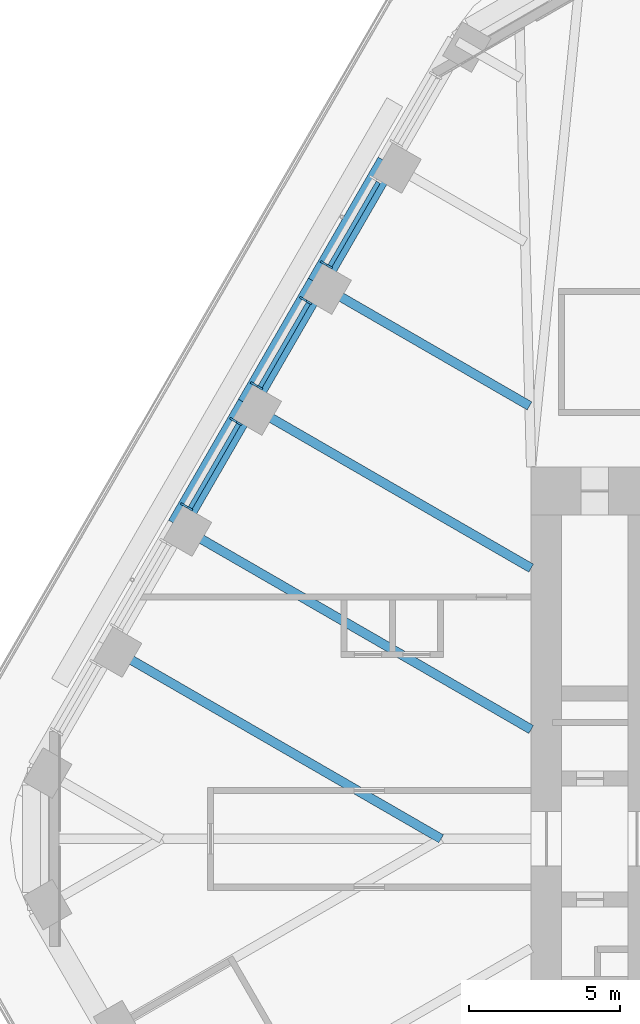
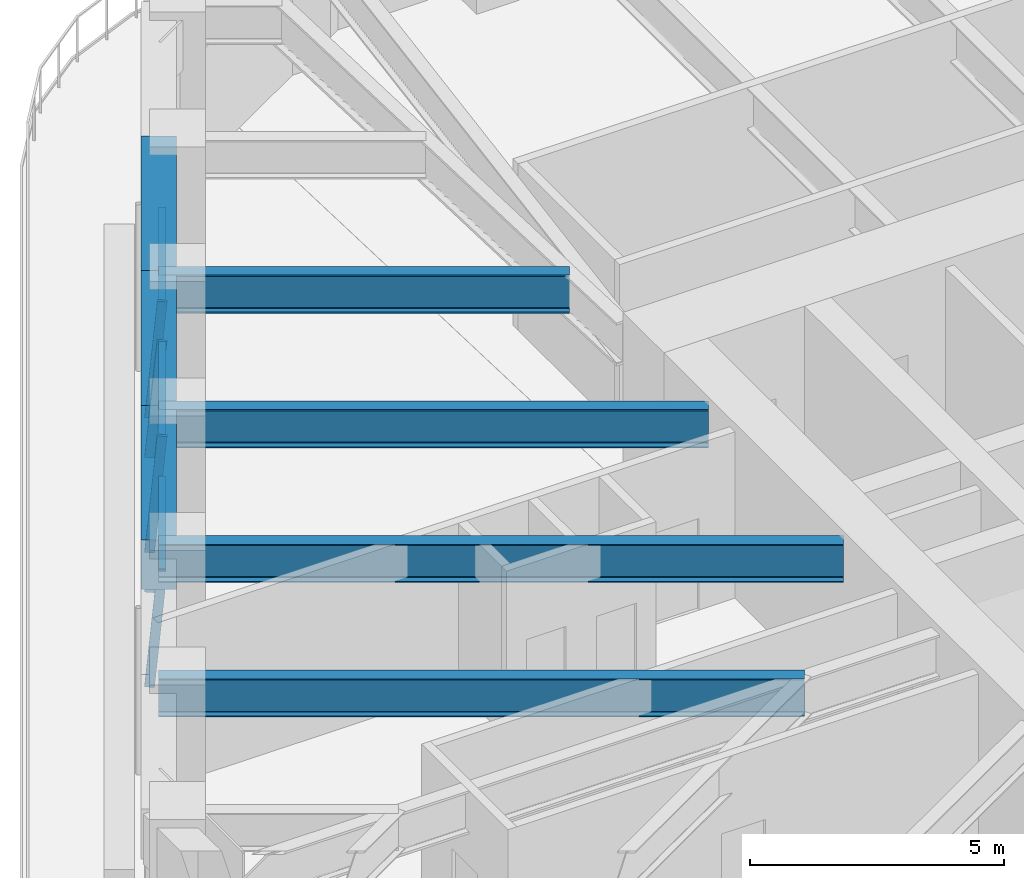
# One storey, part 7 of 20: 8 members, 7 beams, 3 elements without a shape of their own.
"""IFC4 building model written with IfcOpenShell, lengths in metres."""

from ifc_helpers import new_model, si_unit, direction, frame, origin, origin_2d, place, context, subcontext, project, spatial, rectangle, i_section, extrude, material, material_profile, profile_set, type_object, element, aggregate, save


model = new_model("IFC4")

# Units and contexts
model_context = context("Model", 3, precision=1e-05, world=origin(), true_north=direction((0.0, 1.0)))
body_context = subcontext(model_context, "Body", "Model", "MODEL_VIEW")
ifc_project = project(units=[si_unit("LENGTHUNIT", "METRE"), si_unit("AREAUNIT", "SQUARE_METRE"), si_unit("VOLUMEUNIT", "CUBIC_METRE"), si_unit("PLANEANGLEUNIT", "RADIAN"), si_unit("MASSUNIT", "GRAM", prefix="KILO")], contexts=[model_context])

# Site, building, storey
site_placement = place(None, origin())
site = spatial("IfcSite", under=ifc_project, at=site_placement, CompositionType="ELEMENT")
building_placement = place(site_placement, origin())
building = spatial("IfcBuilding", under=site, at=building_placement, Name="Tarfa Lantern Tower", CompositionType="ELEMENT")
storey_placement = place(building_placement, frame((0.0, 0.0, 253.300048828125)))
storey = spatial("IfcBuildingStorey", under=building, at=storey_placement, Name="L57", CompositionType="ELEMENT", Elevation=253.300048828125)

# Curtain wall, member
ifc_material_1 = material(Name="Aluminium framed curtain wall", Category="aluminium")
curtain_wall_type = type_object("IfcCurtainWallType", Name="CW3 CANTED GLAZING HIGH ZONE 2800", PredefinedType="USERDEFINED", material=ifc_material_1)
curtain_wall_1_placement = place(storey_placement, origin())
curtain_wall_1 = element("IfcCurtainWall", 1, at=curtain_wall_1_placement, inside=storey, type_object=curtain_wall_type, Name="CW3 NW L57", ObjectType="CURTAIN WALL", PredefinedType="USERDEFINED")
ifc_material_2 = material(Name="Aluminium mullion", Category="aluminium")
ifc_material_profile_1 = material_profile(ifc_material_2, rectangle(XDim=0.06494140625, YDim=0.199951171875, at=origin_2d()), Name="AL MULLION 65x200")
ifc_profile_set_1 = profile_set([ifc_material_profile_1], Name="Aluminium mullion")
member_type_1 = type_object("IfcMemberType", Name="CWM1 MULLION 65x200", PredefinedType="MULLION", material=ifc_profile_set_1)
member_1_placement = place(storey_placement, frame((-22.37744140625, 19.041015625, 0.0), z_axis=(0.077032386753, -0.044465143199, 0.996036576854), x_axis=(0.499919672301, 0.866071776036, 0.0)))
member_1 = element("IfcMember", 2, at=member_1_placement, type_object=member_type_1, Name="CW3 mullion 2", PredefinedType="MULLION", context=body_context, shape_type="SweptSolid", body=[
    extrude(rectangle(XDim=0.06494140625, YDim=0.199951171875, at=origin_2d()), origin(), (0.0, 0.0, 1.0), 2.811279296875),
])

# Curtain wall, members
curtain_wall_2_placement = place(storey_placement, origin())
curtain_wall_2 = element("IfcCurtainWall", 3, at=curtain_wall_2_placement, inside=storey, type_object=curtain_wall_type, Name="CW3 NW L57", ObjectType="CURTAIN WALL", PredefinedType="USERDEFINED")
member_2_placement = place(storey_placement, frame((-23.06005859375, 17.85888671875, 0.0), z_axis=(0.077032386753, -0.044465143199, 0.996036576854), x_axis=(0.499919672301, 0.866071776036, 0.0)))
member_2 = element("IfcMember", 4, at=member_2_placement, type_object=member_type_1, Name="CW3 mullion 1", PredefinedType="MULLION", context=body_context, shape_type="SweptSolid", body=[
    extrude(rectangle(XDim=0.06494140625, YDim=0.199951171875, at=origin_2d()), origin(), (0.0, 0.0, 1.0), 2.811279296875),
])
member_3_placement = place(storey_placement, frame((-24.686767578125, 15.041015625, 0.0), z_axis=(0.076946055247, -0.044465440504, 0.996043236603), x_axis=(0.500342721131, 0.865827443207, 0.0)))
member_3 = element("IfcMember", 5, at=member_3_placement, type_object=member_type_1, Name="CW3 mullion 2", PredefinedType="MULLION", context=body_context, shape_type="SweptSolid", body=[
    extrude(rectangle(XDim=0.06494140625, YDim=0.199951171875, at=origin_2d()), origin(), (0.0, 0.0, 1.0), 2.811279296875),
])

curtain_wall_3_placement = place(storey_placement, origin())
curtain_wall_3 = element("IfcCurtainWall", 6, at=curtain_wall_3_placement, inside=storey, type_object=curtain_wall_type, Name="CW3 NW L57", ObjectType="CURTAIN WALL", PredefinedType="USERDEFINED")
member_4_placement = place(storey_placement, frame((-25.369384765625, 13.85888671875, 0.0), z_axis=(0.077032386753, -0.044465143199, 0.996036576854), x_axis=(0.499919672301, 0.866071776036, 0.0)))
member_4 = element("IfcMember", 7, at=member_4_placement, type_object=member_type_1, Name="CW3 mullion 1", PredefinedType="MULLION", context=body_context, shape_type="SweptSolid", body=[
    extrude(rectangle(XDim=0.06494140625, YDim=0.199951171875, at=origin_2d()), origin(), (0.0, 0.0, 1.0), 2.811279296875),
])
member_5_placement = place(storey_placement, frame((-26.996337890625, 11.041015625, 0.0), z_axis=(0.077032386753, -0.044465143199, 0.996036576854), x_axis=(0.499919672301, 0.866071776036, 0.0)))
member_5 = element("IfcMember", 8, at=member_5_placement, type_object=member_type_1, Name="CW3 mullion 2", PredefinedType="MULLION", context=body_context, shape_type="SweptSolid", body=[
    extrude(rectangle(XDim=0.06494140625, YDim=0.199951171875, at=origin_2d()), origin(), (0.0, 0.0, 1.0), 2.811279296875),
])

# Member
ifc_material_3 = material(Name="Aluminium transom", Category="aluminium")
ifc_material_profile_2 = material_profile(ifc_material_3, rectangle(XDim=0.14990234375, YDim=0.06494140625, at=origin_2d()), Name="AL TRANSOM 150x65")
ifc_profile_set_2 = profile_set([ifc_material_profile_2], Name="Aluminium transom")
member_type_2 = type_object("IfcMemberType", Name="CWT1 TRANSOM 150x65", PredefinedType="USERDEFINED", material=ifc_profile_set_2)
member_6_placement = place(storey_placement, frame((-20.552734375, 21.707275390625, 2.767333984375), z_axis=(-0.500000789788, -0.8660249478, 0.0), x_axis=(0.8660249478, -0.500000789788, 0.0)))
member_6 = element("IfcMember", 9, at=member_6_placement, type_object=member_type_2, Name="CW3 transom 1.2", ObjectType="TRANSOM", PredefinedType="USERDEFINED", context=body_context, shape_type="SweptSolid", body=[
    extrude(rectangle(XDim=0.14990234375, YDim=0.06494140625, at=origin_2d()), origin(), (0.0, 0.0, 1.0), 3.18896484375),
])

aggregate(curtain_wall_1, [member_1, member_6])

member_7_placement = place(storey_placement, frame((-22.8623046875, 17.707275390625, 2.767333984375), z_axis=(-0.499943367995, -0.866058097819, 0.0), x_axis=(0.866058097819, -0.499943367995, 0.0)))
member_7 = element("IfcMember", 10, at=member_7_placement, type_object=member_type_2, Name="CW3 transom 1.2", ObjectType="TRANSOM", PredefinedType="USERDEFINED", context=body_context, shape_type="SweptSolid", body=[
    extrude(rectangle(XDim=0.14990234375, YDim=0.06494140625, at=origin_2d()), origin(), (0.0, 0.0, 1.0), 3.188720703125),
])

aggregate(curtain_wall_2, [member_2, member_3, member_7])

member_8_placement = place(storey_placement, frame((-25.171630859375, 13.707275390625, 2.767333984375), z_axis=(-0.500000789788, -0.8660249478, 0.0), x_axis=(0.8660249478, -0.500000789788, 0.0)))
member_8 = element("IfcMember", 11, at=member_8_placement, type_object=member_type_2, Name="CW3 transom 1.2", ObjectType="TRANSOM", PredefinedType="USERDEFINED", context=body_context, shape_type="SweptSolid", body=[
    extrude(rectangle(XDim=0.14990234375, YDim=0.06494140625, at=origin_2d()), origin(), (0.0, 0.0, 1.0), 3.18896484375),
])

aggregate(curtain_wall_3, [member_4, member_5, member_8])

# Beams
ifc_material_4 = material(Name="Concrete C80/95", Category="concrete")
ifc_material_profile_3 = material_profile(ifc_material_4, rectangle(XDim=0.699951171875, YDim=1.199951171875, at=origin_2d()), Name="RC 700x1200")
ifc_profile_set_3 = profile_set([ifc_material_profile_3], Name="Concrete C80/95")
beam_type_1 = type_object("IfcBeamType", Name="EB3 RC 700x1200", PredefinedType="SPANDREL", material=ifc_profile_set_3)
beam_1_placement = place(storey_placement, frame((-20.25341796875, 22.360107421875, 3.39990234375), z_axis=(-0.499987836815, -0.866032426089, 0.0), x_axis=(0.866032426089, -0.499987836815, 0.0)))
element("IfcBeam", 12, at=beam_1_placement, inside=storey, type_object=beam_type_1, Name="Edge beam NW1", PredefinedType="SPANDREL", context=body_context, shape_type="SweptSolid", body=[
    extrude(rectangle(XDim=0.699951171875, YDim=1.199951171875, at=origin_2d()), origin(), (0.0, 0.0, 1.0), 4.61865234375),
])
beam_2_placement = place(storey_placement, frame((-22.562744140625, 18.360107421875, 3.39990234375), z_axis=(-0.500027479704, -0.866009537788, 0.0), x_axis=(0.866009537788, -0.500027479704, 0.0)))
element("IfcBeam", 13, at=beam_2_placement, inside=storey, type_object=beam_type_1, Name="Edge beam NW2", PredefinedType="SPANDREL", context=body_context, shape_type="SweptSolid", body=[
    extrude(rectangle(XDim=0.699951171875, YDim=1.199951171875, at=origin_2d()), origin(), (0.0, 0.0, 1.0), 4.618896484375),
])
beam_3_placement = place(storey_placement, frame((-24.872314453125, 14.360107421875, 3.39990234375), z_axis=(-0.499987836815, -0.866032426089, 0.0), x_axis=(0.866032426089, -0.499987836815, 0.0)))
element("IfcBeam", 14, at=beam_3_placement, inside=storey, type_object=beam_type_1, Name="Edge beam NW3", PredefinedType="SPANDREL", context=body_context, shape_type="SweptSolid", body=[
    extrude(rectangle(XDim=0.699951171875, YDim=1.199951171875, at=origin_2d()), origin(), (0.0, 0.0, 1.0), 4.61865234375),
])
ifc_material_5 = material(Name="Steel S460M", Category="steel")
ifc_material_profile_4 = material_profile(ifc_material_5, i_section(OverallWidth=0.305419921875, OverallDepth=0.91845703125, WebThickness=0.017333984375, FlangeThickness=0.02783203125, FilletRadius=0.01904296875, at=origin_2d()), Name="UB914x305x253")
ifc_profile_set_4 = profile_set([ifc_material_profile_4], Name="Steel S460M")
beam_type_2 = type_object("IfcBeamType", Name="UB914x305x253", PredefinedType="BEAM", material=ifc_profile_set_4)
beam_4_placement = place(storey_placement, frame((-22.562744140625, 18.360107421875, 3.540771484375), z_axis=(0.866010787764, -0.500025314835, 0.0), x_axis=(0.500025314835, 0.866010787764, 0.0)))
element("IfcBeam", 15, at=beam_4_placement, inside=storey, type_object=beam_type_2, Name="Floor beam NW2", PredefinedType="BEAM", context=body_context, shape_type="SweptSolid", body=[
    extrude(i_section(OverallWidth=0.305419921875, OverallDepth=0.91845703125, WebThickness=0.017333984375, FlangeThickness=0.02783203125, FilletRadius=0.01904296875, at=origin_2d()), origin(), (0.0, 0.0, 1.0), 8.09423828125),
])
beam_5_placement = place(storey_placement, frame((-24.872314453125, 14.360107421875, 3.540771484375), z_axis=(0.8660244219, -0.500001700669, 0.0), x_axis=(0.500001700669, 0.8660244219, 0.0)))
element("IfcBeam", 16, at=beam_5_placement, inside=storey, type_object=beam_type_2, Name="Floor beam NW3", PredefinedType="BEAM", context=body_context, shape_type="SweptSolid", body=[
    extrude(i_section(OverallWidth=0.305419921875, OverallDepth=0.91845703125, WebThickness=0.017333984375, FlangeThickness=0.02783203125, FilletRadius=0.01904296875, at=origin_2d()), origin(), (0.0, 0.0, 1.0), 10.822265625),
])
beam_6_placement = place(storey_placement, frame((-27.181640625, 10.360107421875, 3.540771484375), z_axis=(0.866018002818, -0.500012818631, 0.0), x_axis=(0.500012818631, 0.866018002818, 0.0)))
element("IfcBeam", 17, at=beam_6_placement, inside=storey, type_object=beam_type_2, Name="Floor beam NW4", PredefinedType="BEAM", context=body_context, shape_type="SweptSolid", body=[
    extrude(i_section(OverallWidth=0.305419921875, OverallDepth=0.91845703125, WebThickness=0.017333984375, FlangeThickness=0.02783203125, FilletRadius=0.01904296875, at=origin_2d()), origin(), (0.0, 0.0, 1.0), 13.489013671875),
])
beam_7_placement = place(storey_placement, frame((-29.490966796875, 6.360107421875, 3.540771484375), z_axis=(0.866022258038, -0.500005448553, 0.0), x_axis=(0.500005448553, 0.866022258038, 0.0)))
element("IfcBeam", 18, at=beam_7_placement, inside=storey, type_object=beam_type_2, Name="Floor beam NW5", PredefinedType="BEAM", context=body_context, shape_type="SweptSolid", body=[
    extrude(i_section(OverallWidth=0.305419921875, OverallDepth=0.91845703125, WebThickness=0.017333984375, FlangeThickness=0.02783203125, FilletRadius=0.01904296875, at=origin_2d()), origin(), (0.0, 0.0, 1.0), 12.719970703125),
])

save(model, "model.ifc")
